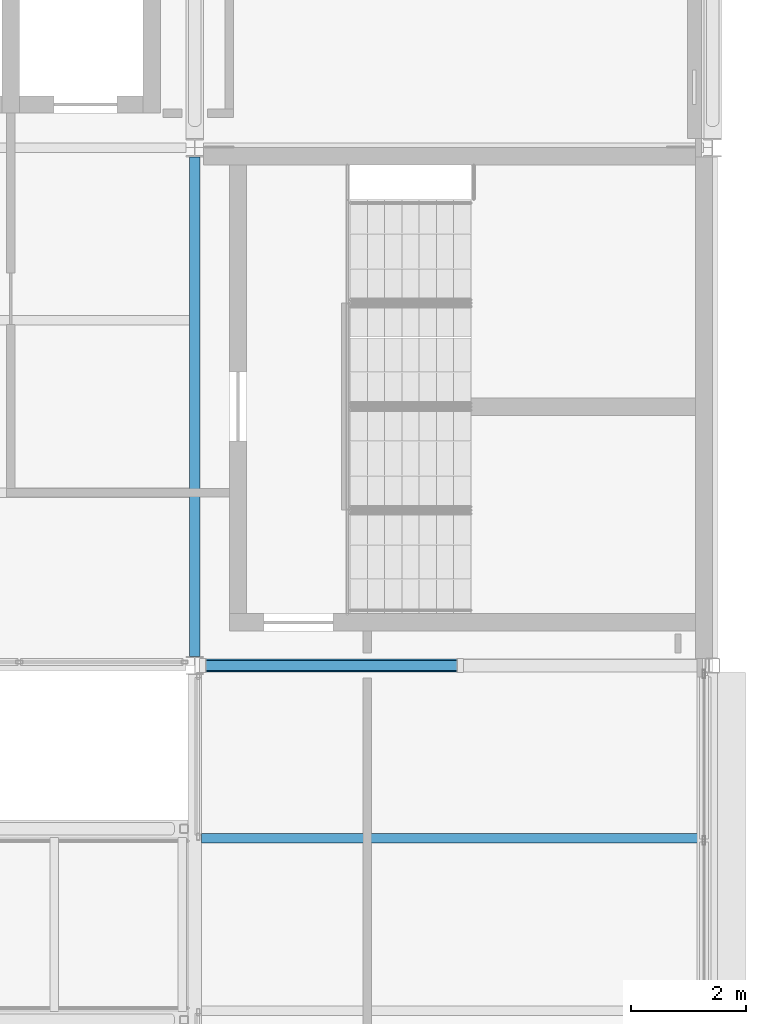
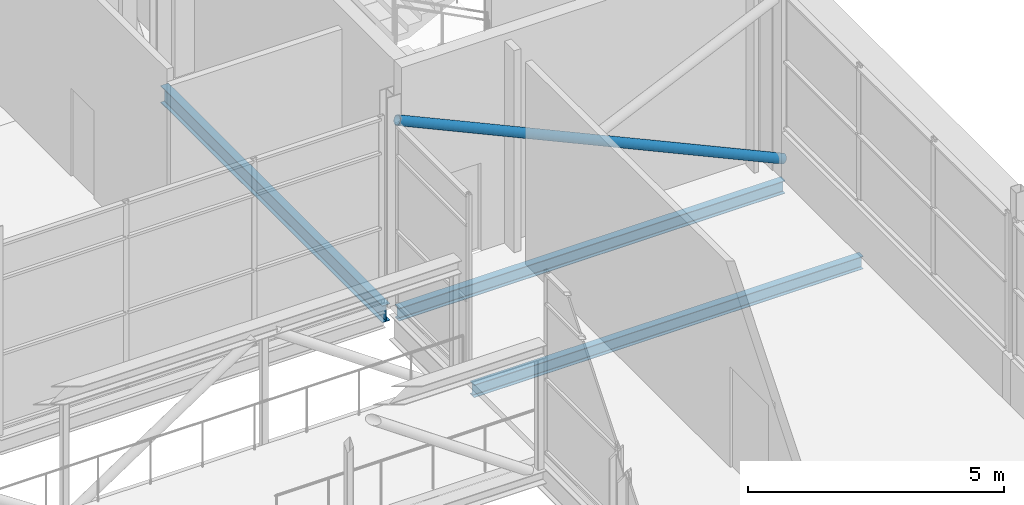
# One storey, part 53 of 94: 3 beams, 1 member.
"""IFC4 building model written with IfcOpenShell, lengths in metres."""

from ifc_helpers import new_model, si_unit, direction, frame, origin, origin_2d, place, context, subcontext, project, spatial, hollow_circle, i_section, extrude, material, material_profile, profile_set, type_object, element, save


model = new_model("IFC4")

# Units and contexts
model_context = context("Model", 3, precision=1e-05, world=origin(), true_north=direction((0.0, 1.0)))
body_context = subcontext(model_context, "Body", "Model", "MODEL_VIEW")
ifc_project = project(units=[si_unit("LENGTHUNIT", "METRE"), si_unit("AREAUNIT", "SQUARE_METRE"), si_unit("VOLUMEUNIT", "CUBIC_METRE"), si_unit("PLANEANGLEUNIT", "RADIAN"), si_unit("MASSUNIT", "GRAM", prefix="KILO")], contexts=[model_context])

# Site, building, storey
site_placement = place(None, origin())
site = spatial("IfcSite", under=ifc_project, at=site_placement, CompositionType="ELEMENT")
building_placement = place(site_placement, origin())
building = spatial("IfcBuilding", under=site, at=building_placement, Name="Shorebreak Coast Museum", CompositionType="ELEMENT")
storey_placement = place(building_placement, frame((0.0, 0.0, 31.0)))
storey = spatial("IfcBuildingStorey", under=building, at=storey_placement, Name="L05", CompositionType="ELEMENT", Elevation=31.0)

# Beams
ifc_material_1 = material(Name="Steel Grade 300", Category="steel")
ifc_material_profile_1 = material_profile(ifc_material_1, i_section(OverallWidth=0.166015625, OverallDepth=0.30712890625, WebThickness=0.006591796875, FlangeThickness=0.01171875, FilletRadius=0.011474609375, at=origin_2d()), Name="310UB46.2")
ifc_profile_set_1 = profile_set([ifc_material_profile_1], Name="Steel Grade 300")
beam_type_1 = type_object("IfcBeamType", Name="Floor girder east-west 310UB46.2", PredefinedType="BEAM", material=ifc_profile_set_1)
beam_1_placement = place(storey_placement, frame((108.153564453125, 81.0, -0.32861328125), z_axis=(1.0, 0.0, 0.0), x_axis=(0.0, 1.0, 0.0)))
element("IfcBeam", 1, at=beam_1_placement, inside=storey, type_object=beam_type_1, Name="Floor girder east-west L05 13K", PredefinedType="BEAM", context=body_context, shape_type="SweptSolid", body=[
    extrude(i_section(OverallWidth=0.166015625, OverallDepth=0.30712890625, WebThickness=0.006591796875, FlangeThickness=0.01171875, FilletRadius=0.011474609375, at=origin_2d()), origin(), (0.0, 0.0, 1.0), 8.721435546875),
])
ifc_material_2 = material(Name="Steel Grade 300", Category="steel")
ifc_material_profile_2 = material_profile(ifc_material_2, i_section(OverallWidth=0.177978515625, OverallDepth=0.406494140625, WebThickness=0.0078125, FlangeThickness=0.0126953125, FilletRadius=0.011474609375, at=origin_2d()), Name="410UB59.7")
ifc_profile_set_2 = profile_set([ifc_material_profile_2], Name="Steel Grade 300")
beam_type_2 = type_object("IfcBeamType", Name="Floor girder north-south 410UB59.7", PredefinedType="BEAM", material=ifc_profile_set_2)
beam_2_placement = place(storey_placement, frame((108.0, 81.1572265625, -0.378173828125), z_axis=(0.0, 1.0, 0.0), x_axis=(-1.0, 0.0, 0.0)))
element("IfcBeam", 2, at=beam_2_placement, inside=storey, type_object=beam_type_2, Name="Floor girder north-south L05 13K", PredefinedType="BEAM", context=body_context, shape_type="SweptSolid", body=[
    extrude(i_section(OverallWidth=0.177978515625, OverallDepth=0.406494140625, WebThickness=0.0078125, FlangeThickness=0.0126953125, FilletRadius=0.011474609375, at=origin_2d()), origin(), (0.0, 0.0, 1.0), 8.67919921875),
])
ifc_material_3 = material(Name="Steel Grade 300", Category="steel")
ifc_material_profile_3 = material_profile(ifc_material_3, i_section(OverallWidth=0.1650390625, OverallDepth=0.303955078125, WebThickness=0.006103515625, FlangeThickness=0.01025390625, FilletRadius=0.011474609375, at=origin_2d()), Name="310UB40.4")
ifc_profile_set_3 = profile_set([ifc_material_profile_3], Name="Steel Grade 300")
beam_type_3 = type_object("IfcBeamType", Name="Floor joist 310UB40.4", PredefinedType="JOIST", material=ifc_profile_set_3)
beam_3_placement = place(storey_placement, frame((108.114501953125, 78.0, -0.326904296875), z_axis=(1.0, 0.0, 0.0), x_axis=(0.0, 1.0, 0.0)))
element("IfcBeam", 3, at=beam_3_placement, inside=storey, type_object=beam_type_3, Name="Floor joist L05 bay 13J at 6000 mm", PredefinedType="JOIST", context=body_context, shape_type="SweptSolid", body=[
    extrude(i_section(OverallWidth=0.1650390625, OverallDepth=0.303955078125, WebThickness=0.006103515625, FlangeThickness=0.01025390625, FilletRadius=0.011474609375, at=origin_2d()), origin(), (0.0, 0.0, 1.0), 8.79638671875),
])

# Member
ifc_material_4 = material(Name="Steel Grade C350L0", Category="steel")
ifc_material_profile_4 = material_profile(ifc_material_4, hollow_circle(Radius=0.109619140625, WallThickness=0.00830078125, at=origin_2d()), Name="219.1x8.2 CHS")
ifc_profile_set_4 = profile_set([ifc_material_profile_4], Name="Steel Grade C350L0")
member_type = type_object("IfcMemberType", Name="X-brace 219.1x8.2 CHS", PredefinedType="BRACE", material=ifc_profile_set_4)
member_placement = place(storey_placement, frame((116.875, 81.0, 0.300048828125), z_axis=(-0.909950784, 0.0, 0.414716253235), x_axis=(0.0, -1.0, 0.0)))
element("IfcMember", 4, at=member_placement, inside=storey, type_object=member_type, Name="X-brace bay 04 L05 diagonal 2", PredefinedType="BRACE", context=body_context, shape_type="SweptSolid", body=[
    extrude(hollow_circle(Radius=0.109619140625, WallThickness=0.00830078125, at=origin_2d()), origin(), (0.0, 0.0, 1.0), 9.58447265625),
])

save(model, "model.ifc")
